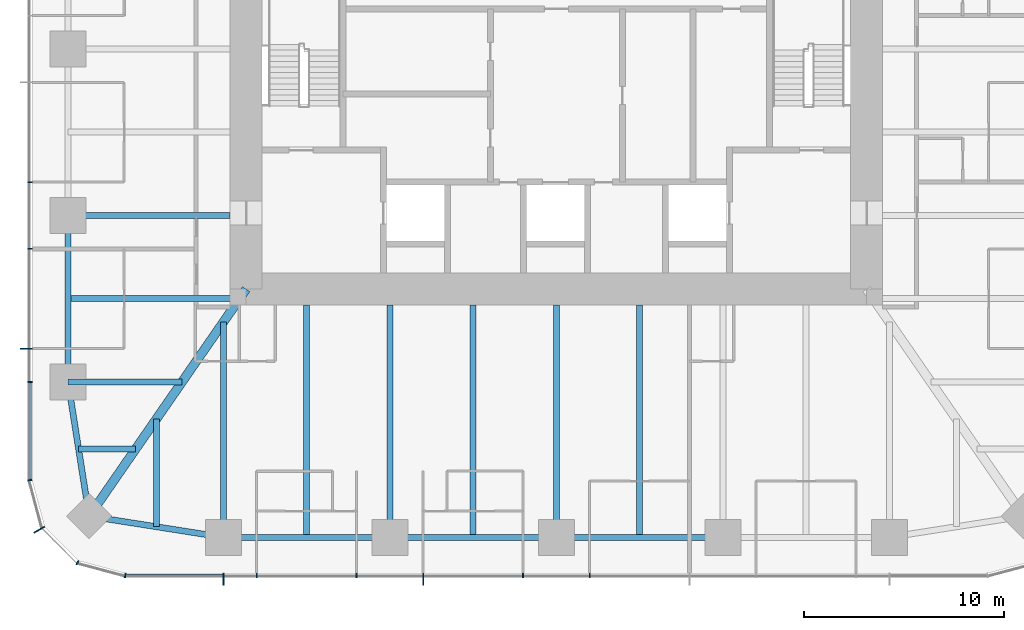
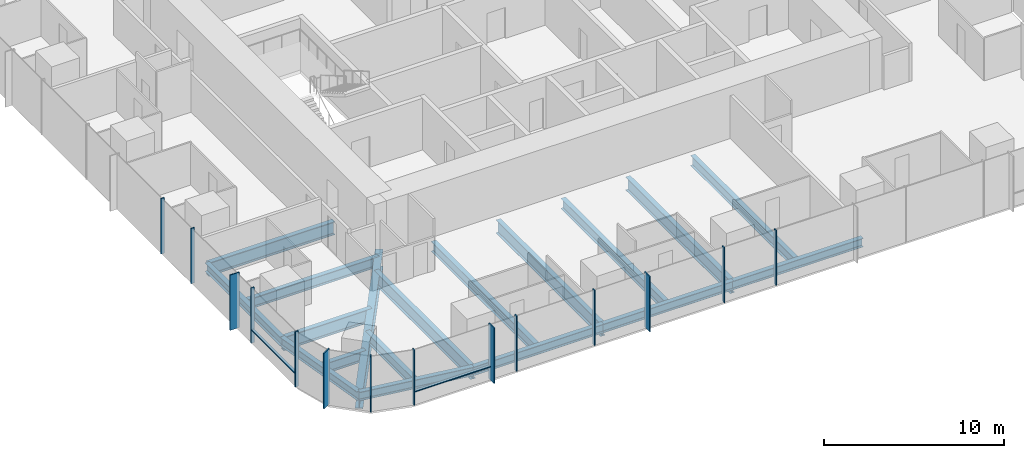
# One storey, part 2 of 12: 18 beams, 16 members, 3 elements without a shape of their own.
"""IFC4 building model written with IfcOpenShell, lengths in metres."""

from ifc_helpers import new_model, si_unit, direction, frame, origin, origin_2d, place, context, subcontext, project, spatial, rectangle, i_section, extrude, material, material_profile, profile_set, type_object, element, aggregate, save


model = new_model("IFC4")

# Units and contexts
model_context = context("Model", 3, precision=1e-05, world=origin(), true_north=direction((0.0, 1.0)))
body_context = subcontext(model_context, "Body", "Model", "MODEL_VIEW")
ifc_project = project(units=[si_unit("LENGTHUNIT", "METRE"), si_unit("AREAUNIT", "SQUARE_METRE"), si_unit("VOLUMEUNIT", "CUBIC_METRE"), si_unit("PLANEANGLEUNIT", "RADIAN"), si_unit("MASSUNIT", "GRAM", prefix="KILO")], contexts=[model_context])

# Site, building, storey
site_placement = place(None, origin())
site = spatial("IfcSite", under=ifc_project, at=site_placement, CompositionType="ELEMENT")
building_placement = place(site_placement, origin())
building = spatial("IfcBuilding", under=site, at=building_placement, Name="Khuree Lantern Residences", CompositionType="ELEMENT")
storey_placement = place(building_placement, frame((0.0, 0.0, 225.75)))
storey = spatial("IfcBuildingStorey", under=building, at=storey_placement, Name="L56", CompositionType="ELEMENT", Elevation=225.75)

# Beams
ifc_material_1 = material(Name="Steel S355", Category="steel")
ifc_material_profile_1 = material_profile(ifc_material_1, i_section(OverallWidth=0.300048828125, OverallDepth=0.68994140625, WebThickness=0.014404296875, FlangeThickness=0.027099609375, FilletRadius=0.027099609375, at=origin_2d()), Name="HE 700 A")
ifc_profile_set_1 = profile_set([ifc_material_profile_1], Name="Steel S355")
beam_type_1 = type_object("IfcBeamType", Name="B-32 SECONDARY BEAM HE 700 A", PredefinedType="BEAM", material=ifc_profile_set_1)
for number, where, z_axis, x_axis, name in (
    (1, (4.159912109375, -24.39990234375, -0.594970703125), (0.0, 1.0, 0.0), (-1.0, 0.0, 0.0), "Secondary beam S3"),
    (2, (-4.159912109375, -24.39990234375, -0.594970703125), (0.0, 1.0, 0.0), (-1.0, 0.0, 0.0), "Secondary beam S4"),
    (3, (-12.47998046875, -24.39990234375, -0.594970703125), (0.0, 1.0, 0.0), (-1.0, 0.0, 0.0), "Secondary beam S5"),
):
    element("IfcBeam", number, at=place(storey_placement, frame(where, z_axis=z_axis, x_axis=x_axis)), inside=storey, type_object=beam_type_1, Name=name, PredefinedType="BEAM", context=body_context, shape_type="SweptSolid", body=[
        extrude(i_section(OverallWidth=0.300048828125, OverallDepth=0.68994140625, WebThickness=0.014404296875, FlangeThickness=0.027099609375, FilletRadius=0.027099609375, at=origin_2d()), origin(), (0.0, 0.0, 1.0), 11.599853515625),
    ])
beam_1_placement = place(storey_placement, frame((-19.992919921875, -23.872802734375, -0.594970703125), z_axis=(0.0, 1.0, 0.0), x_axis=(-1.0, 0.0, 0.0)))
element("IfcBeam", 4, at=beam_1_placement, inside=storey, type_object=beam_type_1, Name="Secondary beam S6", PredefinedType="BEAM", context=body_context, shape_type="SweptSolid", body=[
    extrude(i_section(OverallWidth=0.300048828125, OverallDepth=0.68994140625, WebThickness=0.014404296875, FlangeThickness=0.027099609375, FilletRadius=0.027099609375, at=origin_2d()), origin(), (0.0, 0.0, 1.0), 5.375732421875),
])
beam_2_placement = place(storey_placement, frame((-23.872802734375, -19.992919921875, -0.594970703125), z_axis=(1.0, 0.0, 0.0), x_axis=(0.0, 1.0, 0.0)))
element("IfcBeam", 5, at=beam_2_placement, inside=storey, type_object=beam_type_1, Name="Secondary beam W1", PredefinedType="BEAM", context=body_context, shape_type="SweptSolid", body=[
    extrude(i_section(OverallWidth=0.300048828125, OverallDepth=0.68994140625, WebThickness=0.014404296875, FlangeThickness=0.027099609375, FilletRadius=0.027099609375, at=origin_2d()), origin(), (0.0, 0.0, 1.0), 2.845703125),
])
beam_3_placement = place(storey_placement, frame((-24.39990234375, -12.47998046875, -0.594970703125), z_axis=(1.0, 0.0, 0.0), x_axis=(0.0, 1.0, 0.0)))
element("IfcBeam", 6, at=beam_3_placement, inside=storey, type_object=beam_type_1, Name="Secondary beam W2", PredefinedType="BEAM", context=body_context, shape_type="SweptSolid", body=[
    extrude(i_section(OverallWidth=0.300048828125, OverallDepth=0.68994140625, WebThickness=0.014404296875, FlangeThickness=0.027099609375, FilletRadius=0.027099609375, at=origin_2d()), origin(), (0.0, 0.0, 1.0), 8.56787109375),
])
ifc_material_profile_2 = material_profile(ifc_material_1, i_section(OverallWidth=0.300048828125, OverallDepth=0.590087890625, WebThickness=0.012939453125, FlangeThickness=0.02490234375, FilletRadius=0.027099609375, at=origin_2d()), Name="HE 600 A")
ifc_profile_set_2 = profile_set([ifc_material_profile_2], Name="Steel S355")
beam_type_2 = type_object("IfcBeamType", Name="E-32 SPANDREL BEAM HE 600 A", PredefinedType="SPANDREL", material=ifc_profile_set_2)
for number, where, z_axis, x_axis, name in (
    (7, (8.320068359375, -24.39990234375, -0.544921875), (-1.0, 0.0, 0.0), (0.0, -1.0, 0.0), "Spandrel beam S3"),
    (8, (0.0, -24.39990234375, -0.544921875), (-1.0, 0.0, 0.0), (0.0, -1.0, 0.0), "Spandrel beam S4"),
):
    element("IfcBeam", number, at=place(storey_placement, frame(where, z_axis=z_axis, x_axis=x_axis)), inside=storey, type_object=beam_type_2, Name=name, PredefinedType="SPANDREL", context=body_context, shape_type="SweptSolid", body=[
        extrude(i_section(OverallWidth=0.300048828125, OverallDepth=0.590087890625, WebThickness=0.012939453125, FlangeThickness=0.02490234375, FilletRadius=0.027099609375, at=origin_2d()), origin(), (0.0, 0.0, 1.0), 8.320068359375),
    ])
beam_4_placement = place(storey_placement, frame((-8.320068359375, -24.39990234375, -0.544921875), z_axis=(-1.0, 0.0, 0.0), x_axis=(0.0, -1.0, 0.0)))
element("IfcBeam", 9, at=beam_4_placement, inside=storey, type_object=beam_type_2, Name="Spandrel beam S5", PredefinedType="SPANDREL", context=body_context, shape_type="SweptSolid", body=[
    extrude(i_section(OverallWidth=0.300048828125, OverallDepth=0.590087890625, WebThickness=0.012939453125, FlangeThickness=0.02490234375, FilletRadius=0.027099609375, at=origin_2d()), origin(), (0.0, 0.0, 1.0), 8.31982421875),
])
for number, where, z_axis, x_axis, name in (
    (10, (-16.639892578125, -24.39990234375, -0.544921875), (-0.98786743189, 0.155299507442, 0.0), (-0.155299507442, -0.98786743189, 0.0), "Spandrel beam S6"),
    (11, (-23.345703125, -23.345703125, -0.544921875), (-0.155299507442, 0.98786743189, 0.0), (-0.98786743189, -0.155299507442, 0.0), "Spandrel beam W1"),
):
    element("IfcBeam", number, at=place(storey_placement, frame(where, z_axis=z_axis, x_axis=x_axis)), inside=storey, type_object=beam_type_2, Name=name, PredefinedType="SPANDREL", context=body_context, shape_type="SweptSolid", body=[
        extrude(i_section(OverallWidth=0.300048828125, OverallDepth=0.590087890625, WebThickness=0.012939453125, FlangeThickness=0.02490234375, FilletRadius=0.027099609375, at=origin_2d()), origin(), (0.0, 0.0, 1.0), 6.7880859375),
    ])
beam_5_placement = place(storey_placement, frame((-24.39990234375, -16.639892578125, -0.544921875), z_axis=(0.0, 1.0, 0.0), x_axis=(-1.0, 0.0, 0.0)))
element("IfcBeam", 12, at=beam_5_placement, inside=storey, type_object=beam_type_2, Name="Spandrel beam W2", PredefinedType="SPANDREL", context=body_context, shape_type="SweptSolid", body=[
    extrude(i_section(OverallWidth=0.300048828125, OverallDepth=0.590087890625, WebThickness=0.012939453125, FlangeThickness=0.02490234375, FilletRadius=0.027099609375, at=origin_2d()), origin(), (0.0, 0.0, 1.0), 8.31982421875),
])

# Curtain wall, member
ifc_material_2 = material(Name="Bronze anodised aluminium", Category="aluminium")
curtain_wall_type_1 = type_object("IfcCurtainWallType", Name="CW-T1 TOWER FACE CURTAIN WALL", PredefinedType="USERDEFINED", material=ifc_material_2)
curtain_wall_1_placement = place(storey_placement, origin())
curtain_wall_1 = element("IfcCurtainWall", 13, at=curtain_wall_1_placement, inside=storey, type_object=curtain_wall_type_1, Name="L56 WEST FACE CURTAIN WALL", ObjectType="Stick-built curtain wall", PredefinedType="USERDEFINED")
ifc_material_profile_3 = material_profile(ifc_material_2, rectangle(XDim=0.06494140625, YDim=0.60009765625, at=origin_2d()), Name="F1 65X600")
ifc_profile_set_3 = profile_set([ifc_material_profile_3], Name="Bronze anodised aluminium")
member_type_1 = type_object("IfcMemberType", Name="F1 BRONZE FIN MULLION TOWER 65X600", PredefinedType="MULLION", material=ifc_profile_set_3)
member_1_placement = place(storey_placement, frame((-26.5, -14.97607421875, 0.0), z_axis=(0.0, 0.0, 1.0), x_axis=(0.0, -1.0, 0.0)))
member_1 = element("IfcMember", 14, at=member_1_placement, type_object=member_type_1, Name="L56 WEST FACE FIN MULLION 41", PredefinedType="MULLION", context=body_context, shape_type="SweptSolid", body=[
    extrude(rectangle(XDim=0.06494140625, YDim=0.60009765625, at=origin_2d()), origin(), (0.0, 0.0, 1.0), 3.75),
])

curtain_wall_type_2 = type_object("IfcCurtainWallType", Name="CW-T2 TOWER CORNER CURTAIN WALL", PredefinedType="USERDEFINED", material=ifc_material_2)
curtain_wall_2_placement = place(storey_placement, origin())
curtain_wall_2 = element("IfcCurtainWall", 15, at=curtain_wall_2_placement, inside=storey, type_object=curtain_wall_type_2, Name="L56 SOUTH-WEST CORNER CURTAIN WALL", ObjectType="Faceted corner curtain wall", PredefinedType="USERDEFINED")
member_2_placement = place(storey_placement, frame((-25.8369140625, -24.02490234375, 0.0), z_axis=(0.0, 0.0, 1.0), x_axis=(0.499999989586, -0.866025409797, 0.0)))
member_2 = element("IfcMember", 16, at=member_2_placement, type_object=member_type_1, Name="L56 SOUTH-WEST CORNER FIN MULLION 44", PredefinedType="MULLION", context=body_context, shape_type="SweptSolid", body=[
    extrude(rectangle(XDim=0.06494140625, YDim=0.60009765625, at=origin_2d()), origin(), (0.0, 0.0, 1.0), 3.75),
])

# Curtain wall, members
curtain_wall_3_placement = place(storey_placement, origin())
curtain_wall_3 = element("IfcCurtainWall", 17, at=curtain_wall_3_placement, inside=storey, type_object=curtain_wall_type_1, Name="L56 SOUTH FACE CURTAIN WALL", ObjectType="Stick-built curtain wall", PredefinedType="USERDEFINED")
member_3_placement = place(storey_placement, frame((-16.639892578125, -26.5, 0.0), z_axis=(0.0, 0.0, 1.0), x_axis=(1.0, 0.0, 0.0)))
member_3 = element("IfcMember", 18, at=member_3_placement, type_object=member_type_1, Name="L56 SOUTH FACE FIN MULLION 47", PredefinedType="MULLION", context=body_context, shape_type="SweptSolid", body=[
    extrude(rectangle(XDim=0.06494140625, YDim=0.60009765625, at=origin_2d()), origin(), (0.0, 0.0, 1.0), 3.75),
])
member_4_placement = place(storey_placement, frame((-6.656005859375, -26.5, 0.0), z_axis=(0.0, 0.0, 1.0), x_axis=(1.0, 0.0, 0.0)))
member_4 = element("IfcMember", 19, at=member_4_placement, type_object=member_type_1, Name="L56 SOUTH FACE FIN MULLION 50", PredefinedType="MULLION", context=body_context, shape_type="SweptSolid", body=[
    extrude(rectangle(XDim=0.06494140625, YDim=0.60009765625, at=origin_2d()), origin(), (0.0, 0.0, 1.0), 3.75),
])

# Beams
ifc_material_profile_4 = material_profile(ifc_material_1, i_section(OverallWidth=0.300048828125, OverallDepth=0.89990234375, WebThickness=0.0185546875, FlangeThickness=0.034912109375, FilletRadius=0.030029296875, at=origin_2d()), Name="HE 900 B")
ifc_profile_set_4 = profile_set([ifc_material_profile_4], Name="Steel S355")
beam_type_3 = type_object("IfcBeamType", Name="G-32 GIRDER HE 900 B", PredefinedType="BEAM", material=ifc_profile_set_4)
for number, where, z_axis, x_axis, name in (
    (20, (0.0, -24.39990234375, -0.699951171875), (0.0, 1.0, 0.0), (-1.0, 0.0, 0.0), "Girder S3"),
    (21, (-8.320068359375, -24.39990234375, -0.699951171875), (0.0, 1.0, 0.0), (-1.0, 0.0, 0.0), "Girder S4"),
):
    element("IfcBeam", number, at=place(storey_placement, frame(where, z_axis=z_axis, x_axis=x_axis)), inside=storey, type_object=beam_type_3, Name=name, PredefinedType="BEAM", context=body_context, shape_type="SweptSolid", body=[
        extrude(i_section(OverallWidth=0.300048828125, OverallDepth=0.89990234375, WebThickness=0.0185546875, FlangeThickness=0.034912109375, FilletRadius=0.030029296875, at=origin_2d()), origin(), (0.0, 0.0, 1.0), 11.599853515625),
    ])
beam_6_placement = place(storey_placement, frame((-16.639892578125, -24.39990234375, -0.699951171875), z_axis=(0.0, 1.0, 0.0), x_axis=(-1.0, 0.0, 0.0)))
element("IfcBeam", 22, at=beam_6_placement, inside=storey, type_object=beam_type_3, Name="Girder S5", PredefinedType="BEAM", context=body_context, shape_type="SweptSolid", body=[
    extrude(i_section(OverallWidth=0.300048828125, OverallDepth=0.89990234375, WebThickness=0.0185546875, FlangeThickness=0.034912109375, FilletRadius=0.030029296875, at=origin_2d()), origin(), (0.0, 0.0, 1.0), 10.751220703125),
])
beam_7_placement = place(storey_placement, frame((-24.39990234375, -16.639892578125, -0.699951171875), z_axis=(1.0, 0.0, 0.0), x_axis=(0.0, 1.0, 0.0)))
element("IfcBeam", 23, at=beam_7_placement, inside=storey, type_object=beam_type_3, Name="Girder W1", PredefinedType="BEAM", context=body_context, shape_type="SweptSolid", body=[
    extrude(i_section(OverallWidth=0.300048828125, OverallDepth=0.89990234375, WebThickness=0.0185546875, FlangeThickness=0.034912109375, FilletRadius=0.030029296875, at=origin_2d()), origin(), (0.0, 0.0, 1.0), 5.69140625),
])
beam_8_placement = place(storey_placement, frame((-24.39990234375, -8.320068359375, -0.699951171875), z_axis=(1.0, 0.0, 0.0), x_axis=(0.0, 1.0, 0.0)))
element("IfcBeam", 24, at=beam_8_placement, inside=storey, type_object=beam_type_3, Name="Girder W2", PredefinedType="BEAM", context=body_context, shape_type="SweptSolid", body=[
    extrude(i_section(OverallWidth=0.300048828125, OverallDepth=0.89990234375, WebThickness=0.0185546875, FlangeThickness=0.034912109375, FilletRadius=0.030029296875, at=origin_2d()), origin(), (0.0, 0.0, 1.0), 8.099853515625),
])
ifc_material_profile_5 = material_profile(ifc_material_1, i_section(OverallWidth=0.449951171875, OverallDepth=1.199951171875, WebThickness=0.02490234375, FlangeThickness=0.044921875, at=origin_2d()), Name="WELDED I 1200X450X25X45")
ifc_profile_set_5 = profile_set([ifc_material_profile_5], Name="Steel S355")
beam_type_4 = type_object("IfcBeamType", Name="GD-32 CORNER GIRDER WELDED I 1200X450X25X45", PredefinedType="BEAM", material=ifc_profile_set_5)
beam_9_placement = place(storey_placement, frame((-23.345703125, -23.345703125, -0.85009765625), z_axis=(0.56876813501, 0.822497907959, 0.0), x_axis=(-0.822497907959, 0.56876813501, 0.0)))
element("IfcBeam", 25, at=beam_9_placement, inside=storey, type_object=beam_type_4, Name="Corner girder SW", PredefinedType="BEAM", context=body_context, shape_type="SweptSolid", body=[
    extrude(i_section(OverallWidth=0.449951171875, OverallDepth=1.199951171875, WebThickness=0.02490234375, FlangeThickness=0.044921875, at=origin_2d()), origin(), (0.0, 0.0, 1.0), 13.794189453125),
])

# Member
ifc_material_profile_6 = material_profile(ifc_material_2, rectangle(XDim=0.06494140625, YDim=0.219970703125, at=origin_2d()), Name="M1 65X220")
ifc_profile_set_6 = profile_set([ifc_material_profile_6], Name="Bronze anodised aluminium")
member_type_2 = type_object("IfcMemberType", Name="M1 BRONZE MULLION TOWER 65X220", PredefinedType="MULLION", material=ifc_profile_set_6)
member_5_placement = place(storey_placement, frame((-26.31005859375, -6.656005859375, 0.0), z_axis=(0.0, 0.0, 1.0), x_axis=(0.0, -1.0, 0.0)))
member_5 = element("IfcMember", 26, at=member_5_placement, type_object=member_type_2, Name="L56 WEST FACE MULLION 39", PredefinedType="MULLION", context=body_context, shape_type="SweptSolid", body=[
    extrude(rectangle(XDim=0.06494140625, YDim=0.219970703125, at=origin_2d()), origin(), (0.0, 0.0, 1.0), 3.75),
])

member_6_placement = place(storey_placement, frame((-26.31005859375, -9.98388671875, 0.0), z_axis=(0.0, 0.0, 1.0), x_axis=(0.0, -1.0, 0.0)))
member_6 = element("IfcMember", 27, at=member_6_placement, type_object=member_type_2, Name="L56 WEST FACE MULLION 40", PredefinedType="MULLION", context=body_context, shape_type="SweptSolid", body=[
    extrude(rectangle(XDim=0.06494140625, YDim=0.219970703125, at=origin_2d()), origin(), (0.0, 0.0, 1.0), 3.75),
])

member_7_placement = place(storey_placement, frame((-26.31005859375, -16.639892578125, 0.0), z_axis=(0.0, 0.0, 1.0), x_axis=(0.0, -1.0, 0.0)))
member_7 = element("IfcMember", 28, at=member_7_placement, type_object=member_type_2, Name="L56 WEST FACE MULLION 42", PredefinedType="MULLION", context=body_context, shape_type="SweptSolid", body=[
    extrude(rectangle(XDim=0.06494140625, YDim=0.219970703125, at=origin_2d()), origin(), (0.0, 0.0, 1.0), 3.75),
])

member_8_placement = place(storey_placement, frame((-26.311767578125, -21.544921875, 0.0), z_axis=(0.0, 0.0, 1.0), x_axis=(0.130526180298, -0.991444862943, 0.0)))
member_8 = element("IfcMember", 29, at=member_8_placement, type_object=member_type_2, Name="L56 SOUTH-WEST CORNER MULLION 43", PredefinedType="MULLION", context=body_context, shape_type="SweptSolid", body=[
    extrude(rectangle(XDim=0.06494140625, YDim=0.219970703125, at=origin_2d()), origin(), (0.0, 0.0, 1.0), 3.75),
])

member_9_placement = place(storey_placement, frame((-23.929931640625, -25.67236328125, 0.0), z_axis=(0.0, 0.0, 1.0), x_axis=(0.866025409797, -0.499999989586, 0.0)))
member_9 = element("IfcMember", 30, at=member_9_placement, type_object=member_type_2, Name="L56 SOUTH-WEST CORNER MULLION 45", PredefinedType="MULLION", context=body_context, shape_type="SweptSolid", body=[
    extrude(rectangle(XDim=0.06494140625, YDim=0.219970703125, at=origin_2d()), origin(), (0.0, 0.0, 1.0), 3.75),
])

aggregate(curtain_wall_2, [member_8, member_2, member_9])

member_10_placement = place(storey_placement, frame((-21.544921875, -26.311767578125, 0.0), z_axis=(0.0, 0.0, 1.0), x_axis=(0.991444862943, -0.130526180298, 0.0)))
member_10 = element("IfcMember", 31, at=member_10_placement, type_object=member_type_2, Name="L56 SOUTH FACE MULLION 46", PredefinedType="MULLION", context=body_context, shape_type="SweptSolid", body=[
    extrude(rectangle(XDim=0.06494140625, YDim=0.219970703125, at=origin_2d()), origin(), (0.0, 0.0, 1.0), 3.75),
])

member_11_placement = place(storey_placement, frame((-14.97607421875, -26.31005859375, 0.0), z_axis=(0.0, 0.0, 1.0), x_axis=(1.0, 0.0, 0.0)))
member_11 = element("IfcMember", 32, at=member_11_placement, type_object=member_type_2, Name="L56 SOUTH FACE MULLION 48", PredefinedType="MULLION", context=body_context, shape_type="SweptSolid", body=[
    extrude(rectangle(XDim=0.06494140625, YDim=0.219970703125, at=origin_2d()), origin(), (0.0, 0.0, 1.0), 3.75),
])

member_12_placement = place(storey_placement, frame((-9.98388671875, -26.31005859375, 0.0), z_axis=(0.0, 0.0, 1.0), x_axis=(1.0, 0.0, 0.0)))
member_12 = element("IfcMember", 33, at=member_12_placement, type_object=member_type_2, Name="L56 SOUTH FACE MULLION 49", PredefinedType="MULLION", context=body_context, shape_type="SweptSolid", body=[
    extrude(rectangle(XDim=0.06494140625, YDim=0.219970703125, at=origin_2d()), origin(), (0.0, 0.0, 1.0), 3.75),
])

member_13_placement = place(storey_placement, frame((-1.6640625, -26.31005859375, 0.0), z_axis=(0.0, 0.0, 1.0), x_axis=(1.0, 0.0, 0.0)))
member_13 = element("IfcMember", 34, at=member_13_placement, type_object=member_type_2, Name="L56 SOUTH FACE MULLION 51", PredefinedType="MULLION", context=body_context, shape_type="SweptSolid", body=[
    extrude(rectangle(XDim=0.06494140625, YDim=0.219970703125, at=origin_2d()), origin(), (0.0, 0.0, 1.0), 3.75),
])

member_14_placement = place(storey_placement, frame((1.6640625, -26.31005859375, 0.0), z_axis=(0.0, 0.0, 1.0), x_axis=(1.0, 0.0, 0.0)))
member_14 = element("IfcMember", 35, at=member_14_placement, type_object=member_type_2, Name="L56 SOUTH FACE MULLION 52", PredefinedType="MULLION", context=body_context, shape_type="SweptSolid", body=[
    extrude(rectangle(XDim=0.06494140625, YDim=0.219970703125, at=origin_2d()), origin(), (0.0, 0.0, 1.0), 3.75),
])

ifc_material_profile_7 = material_profile(ifc_material_2, rectangle(XDim=0.179931640625, YDim=0.06494140625, at=origin_2d()), Name="T1 180X65")
ifc_profile_set_7 = profile_set([ifc_material_profile_7], Name="Bronze anodised aluminium")
member_type_3 = type_object("IfcMemberType", Name="TRANSOM T1 TOWER 180X65", PredefinedType="USERDEFINED", material=ifc_profile_set_7)
member_15_placement = place(storey_placement, frame((-26.320068359375, -16.672607421875, 0.89990234375), z_axis=(0.0, -1.0, 0.0), x_axis=(1.0, 0.0, 0.0)))
member_15 = element("IfcMember", 36, at=member_15_placement, type_object=member_type_3, Name="L56 WEST FACE TRANSOM 42.1", ObjectType="Transom", PredefinedType="USERDEFINED", context=body_context, shape_type="SweptSolid", body=[
    extrude(rectangle(XDim=0.179931640625, YDim=0.06494140625, at=origin_2d()), origin(), (0.0, 0.0, 1.0), 4.828857421875),
])

aggregate(curtain_wall_1, [member_5, member_6, member_1, member_7, member_15])

member_16_placement = place(storey_placement, frame((-21.50146484375, -26.320068359375, 0.89990234375), z_axis=(1.0, 0.0, 0.0), x_axis=(0.0, 1.0, 0.0)))
member_16 = element("IfcMember", 37, at=member_16_placement, type_object=member_type_3, Name="L56 SOUTH FACE TRANSOM 46.1", ObjectType="Transom", PredefinedType="USERDEFINED", context=body_context, shape_type="SweptSolid", body=[
    extrude(rectangle(XDim=0.179931640625, YDim=0.06494140625, at=origin_2d()), origin(), (0.0, 0.0, 1.0), 4.828857421875),
])

aggregate(curtain_wall_3, [member_10, member_3, member_11, member_12, member_4, member_13, member_14, member_16])

save(model, "model.ifc")
